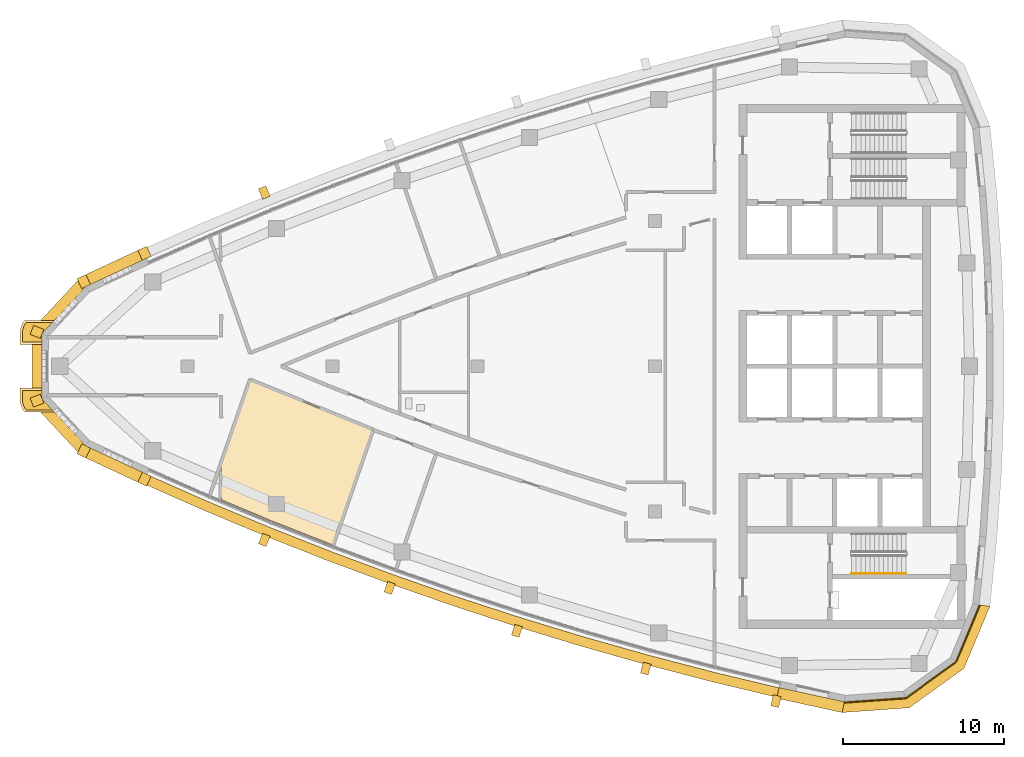
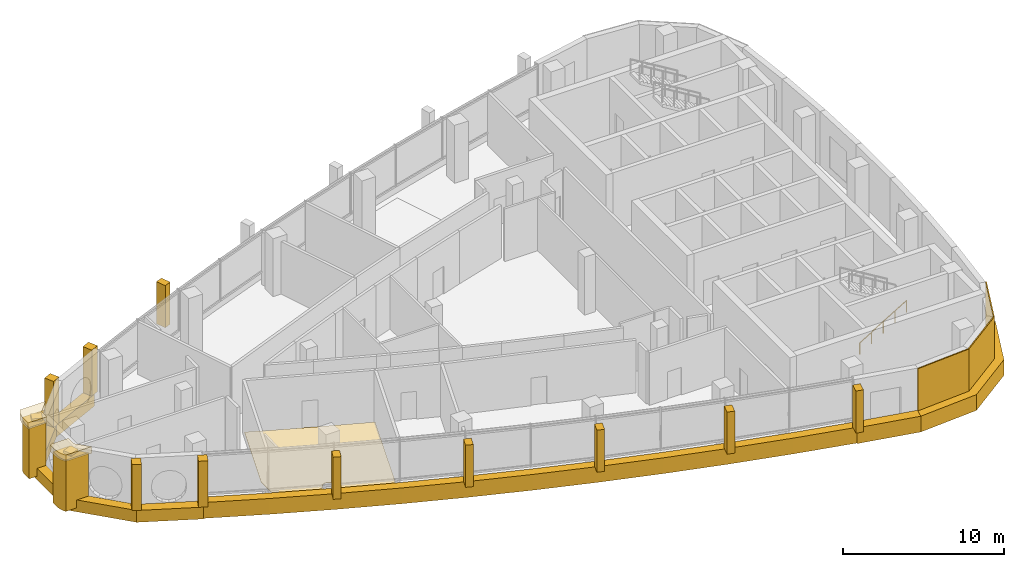
# One storey, part 11 of 15: 24 coverings, 1 railing.
"""IFC4 building model written with IfcOpenShell, lengths in metres."""

from ifc_helpers import new_model, si_unit, direction, frame, frame_2d, origin, origin_2d, place, context, subcontext, project, spatial, polyline, rectangle, circle, outline, extrude, material, layer, layer_set, type_object, element, save


model = new_model("IFC4")

# Units and contexts
model_context = context("Model", 3, precision=1e-05, world=origin(), true_north=direction((0.0, 1.0)))
body_context = subcontext(model_context, "Body", "Model", "MODEL_VIEW")
ifc_project = project(units=[si_unit("LENGTHUNIT", "METRE"), si_unit("AREAUNIT", "SQUARE_METRE"), si_unit("VOLUMEUNIT", "CUBIC_METRE"), si_unit("PLANEANGLEUNIT", "RADIAN"), si_unit("MASSUNIT", "GRAM", prefix="KILO")], contexts=[model_context])

# Site, building, storey
site_placement = place(None, origin())
site = spatial("IfcSite", under=ifc_project, at=site_placement, CompositionType="ELEMENT")
building_placement = place(site_placement, origin())
building = spatial("IfcBuilding", under=site, at=building_placement, Name="Ostrand Prow Hotel Tower", CompositionType="ELEMENT")
storey_placement = place(building_placement, frame((0.0, 0.0, 318.60009765625)))
storey = spatial("IfcBuildingStorey", under=building, at=storey_placement, Name="C3", CompositionType="ELEMENT", Elevation=318.60009765625)

# Coverings
ifc_material_1 = material(Name="Bronze anodised aluminium cladding", Category="aluminium")
ifc_layer_1 = layer(ifc_material_1, 0.60009765625)
ifc_layer_set_1 = layer_set([ifc_layer_1], Name="Bronze anodised aluminium cladding")
covering_type_1 = type_object("IfcCoveringType", Name="Bronze prow band 899x600", PredefinedType="CLADDING", material=ifc_layer_set_1)
covering_1_placement = place(storey_placement, frame((0.0, 0.0, -0.300048828125)))
element("IfcCovering", 1, at=covering_1_placement, inside=storey, type_object=covering_type_1, Name="Bronze prow band", PredefinedType="CLADDING", context=body_context, shape_type="SweptSolid", body=[
    extrude(outline(polyline([(13.195068359375, 7.316162109375), (9.424560546875, 5.559814453125), (6.348388671875, 2.2568359375), (6.348388671875, -2.2568359375), (9.424560546875, -5.559814453125), (13.195068359375, -7.316162109375), (13.47607421875, -6.697021484375), (9.718017578125, -4.9462890625), (6.981201171875, -2.0078125), (6.981201171875, 2.0078125), (9.718017578125, 4.9462890625), (13.47607421875, 6.697021484375), (13.195068359375, 7.316162109375)])), origin(), (0.0, 0.0, 1.0), 0.89990234375),
])
ifc_material_2 = material(Name="Bronze anodised aluminium cladding", Category="aluminium")
ifc_layer_2 = layer(ifc_material_2, 0.60009765625)
ifc_layer_set_2 = layer_set([ifc_layer_2], Name="Bronze anodised aluminium cladding")
covering_type_2 = type_object("IfcCoveringType", Name="Bronze spandrel band 1200x600", PredefinedType="CLADDING", material=ifc_layer_set_2)
covering_2_placement = place(storey_placement, frame((0.0, 0.0, -0.300048828125)))
element("IfcCovering", 2, at=covering_2_placement, inside=storey, type_object=covering_type_2, Name="Spandrel band S1", PredefinedType="CLADDING", context=body_context, shape_type="SweptSolid", body=[
    extrude(outline(polyline([(13.220947265625, -7.25927734375), (17.02490234375, -8.938720703125), (20.86181640625, -10.541748046875), (24.72998046875, -12.067138671875), (28.62841796875, -13.514404296875), (32.5546875, -14.88330078125), (36.508056640625, -16.172607421875), (40.486328125, -17.382568359375), (44.48828125, -18.51220703125), (48.51220703125, -19.56103515625), (52.55615234375, -20.52880859375), (52.68994140625, -19.94384765625), (48.65771484375, -18.97900390625), (44.6455078125, -17.93310546875), (40.6552734375, -16.806884765625), (36.6884765625, -15.6005859375), (32.74658203125, -14.314697265625), (28.83154296875, -12.949951171875), (24.944580078125, -11.5068359375), (21.08740234375, -9.98583984375), (17.26171875, -8.3876953125), (13.468994140625, -6.712890625), (13.220947265625, -7.25927734375)])), origin(), (0.0, 0.0, 1.0), 1.199951171875),
])
covering_3_placement = place(storey_placement, frame((0.0, 0.0, -0.300048828125)))
element("IfcCovering", 3, at=covering_3_placement, inside=storey, type_object=covering_type_2, Name="Spandrel band back 1", PredefinedType="CLADDING", context=body_context, shape_type="SweptSolid", body=[
    extrude(outline(polyline([(52.542236328125, -20.58984375), (56.606201171875, -21.476318359375), (56.744384765625, -20.810546875), (52.69384765625, -19.927001953125), (52.542236328125, -20.58984375)])), origin(), (0.0, 0.0, 1.0), 1.199951171875),
])
covering_4_placement = place(storey_placement, frame((0.0, 0.0, -0.300048828125)))
element("IfcCovering", 4, at=covering_4_placement, inside=storey, type_object=covering_type_2, Name="Spandrel band back 2", PredefinedType="CLADDING", context=body_context, shape_type="SweptSolid", body=[
    extrude(outline(polyline([(56.606201171875, -21.476318359375), (60.771728515625, -21.17919921875), (64.162841796875, -18.741455078125), (65.77197265625, -14.887451171875), (65.17626953125, -14.81591796875), (63.693115234375, -18.3681640625), (60.567626953125, -20.614990234375), (56.72802734375, -20.888916015625), (56.606201171875, -21.476318359375)])), origin(), (0.0, 0.0, 1.0), 1.199951171875),
])
ifc_material_3 = material(Name="Limestone cladding", Category="masonry")
ifc_layer_3 = layer(ifc_material_3, 0.5)
ifc_layer_set_3 = layer_set([ifc_layer_3], Name="Limestone cladding")
covering_type_3 = type_object("IfcCoveringType", Name="Precast stone fin 500x600", PredefinedType="CLADDING", material=ifc_layer_set_3)
for number, where, z_axis, x_axis, name in (
    (5, (20.8994140625, -10.44921875, 0.89990234375), (0.0, 0.0, 1.0), (-0.376377046956, -0.926466577122, 0.0), "Stone fin S 3"),
    (6, (28.662109375, -13.42041015625, 0.89990234375), (0.0, 0.0, 1.0), (-0.338633021138, -0.940918528352, 0.0), "Stone fin S 5"),
):
    element("IfcCovering", number, at=place(storey_placement, frame(where, z_axis=z_axis, x_axis=x_axis)), inside=storey, type_object=covering_type_3, Name=name, PredefinedType="CLADDING", context=body_context, shape_type="SweptSolid", body=[
        extrude(rectangle(XDim=0.699951171875, YDim=0.5, at=frame_2d((0.35009765625, 0.0))), origin(), (0.0, 0.0, 1.0), 3.199951171875),
    ])
for number, where, z_axis, x_axis, name in (
    (7, (36.5380859375, -16.077392578125, 0.89990234375), (0.0, 0.0, 1.0), (-0.30059725976, -0.953751166408, 0.0), "Stone fin S 7"),
    (8, (44.514404296875, -18.41552734375, 0.89990234375), (0.0, 0.0, 1.0), (-0.261848568536, -0.965108971648, 0.0), "Stone fin S 9"),
):
    element("IfcCovering", number, at=place(storey_placement, frame(where, z_axis=z_axis, x_axis=x_axis)), inside=storey, type_object=covering_type_3, Name=name, PredefinedType="CLADDING", context=body_context, shape_type="SweptSolid", body=[
        extrude(rectangle(XDim=0.7001953125, YDim=0.5, at=frame_2d((0.35009765625, 0.0))), origin(), (0.0, 0.0, 1.0), 3.199951171875),
    ])
for number, where, z_axis, x_axis, name in (
    (9, (52.578369140625, -20.431396484375, 0.89990234375), (0.0, 0.0, 1.0), (-0.222872153431, -0.974847682064, 0.0), "Stone fin S 11"),
    (10, (20.8994140625, 10.44921875, 0.89990234375), (0.0, 0.0, 1.0), (-0.376377046956, 0.926466577122, 0.0), "Stone fin N 9"),
):
    element("IfcCovering", number, at=place(storey_placement, frame(where, z_axis=z_axis, x_axis=x_axis)), inside=storey, type_object=covering_type_3, Name=name, PredefinedType="CLADDING", context=body_context, shape_type="SweptSolid", body=[
        extrude(rectangle(XDim=0.699951171875, YDim=0.5, at=frame_2d((0.35009765625, 0.0))), origin(), (0.0, 0.0, 1.0), 3.199951171875),
    ])
ifc_material_4 = material(Name="Limestone cladding", Category="masonry")
ifc_layer_4 = layer(ifc_material_4, 0.60009765625)
ifc_layer_set_4 = layer_set([ifc_layer_4], Name="Limestone cladding")
covering_type_4 = type_object("IfcCoveringType", Name="Precast stone prow rib 600x600", PredefinedType="CLADDING", material=ifc_layer_set_4)
covering_5_placement = place(storey_placement, frame((13.47607421875, 6.697021484375, 0.599853515625), z_axis=(0.0, 0.0, 1.0), x_axis=(-0.413288868051, 0.910599973394, 0.0)))
element("IfcCovering", 11, at=covering_5_placement, inside=storey, type_object=covering_type_4, Name="Stone prow rib 1", PredefinedType="CLADDING", context=body_context, shape_type="SweptSolid", body=[
    extrude(rectangle(XDim=0.679931640625, YDim=0.60009765625, at=frame_2d((0.33984375, 0.0))), origin(), (0.0, 0.0, 1.0), 3.5),
])
covering_6_placement = place(storey_placement, frame((9.718017578125, 4.9462890625, 0.599853515625), z_axis=(0.0, 0.0, 1.0), x_axis=(-0.431493603995, 0.902115995707, 0.0)))
element("IfcCovering", 12, at=covering_6_placement, inside=storey, type_object=covering_type_4, Name="Stone prow rib 2", PredefinedType="CLADDING", context=body_context, shape_type="SweptSolid", body=[
    extrude(rectangle(XDim=0.68017578125, YDim=0.60009765625, at=frame_2d((0.340087890625, 0.0))), origin(), (0.0, 0.0, 1.0), 3.5),
])
for number, where, z_axis, x_axis, name in (
    (13, (6.981201171875, 2.0078125, 0.599853515625), (0.0, 0.0, 1.0), (-0.93054188789, 0.366185465142, 0.0), "Stone prow rib 3"),
    (14, (6.981201171875, -2.0078125, 0.599853515625), (0.0, 0.0, 1.0), (-0.93054188789, -0.366185465142, 0.0), "Stone prow rib 4"),
):
    element("IfcCovering", number, at=place(storey_placement, frame(where, z_axis=z_axis, x_axis=x_axis)), inside=storey, type_object=covering_type_4, Name=name, PredefinedType="CLADDING", context=body_context, shape_type="SweptSolid", body=[
        extrude(rectangle(XDim=0.679931640625, YDim=0.60009765625, at=frame_2d((0.33984375, 0.0))), origin(), (0.0, 0.0, 1.0), 3.5),
    ])
covering_7_placement = place(storey_placement, frame((9.718017578125, -4.9462890625, 0.599853515625), z_axis=(0.0, 0.0, 1.0), x_axis=(-0.431493603995, -0.902115995707, 0.0)))
element("IfcCovering", 15, at=covering_7_placement, inside=storey, type_object=covering_type_4, Name="Stone prow rib 5", PredefinedType="CLADDING", context=body_context, shape_type="SweptSolid", body=[
    extrude(rectangle(XDim=0.68017578125, YDim=0.60009765625, at=frame_2d((0.340087890625, 0.0))), origin(), (0.0, 0.0, 1.0), 3.5),
])
covering_8_placement = place(storey_placement, frame((13.47607421875, -6.697021484375, 0.599853515625), z_axis=(0.0, 0.0, 1.0), x_axis=(-0.413288868051, -0.910599973394, 0.0)))
element("IfcCovering", 16, at=covering_8_placement, inside=storey, type_object=covering_type_4, Name="Stone prow rib 6", PredefinedType="CLADDING", context=body_context, shape_type="SweptSolid", body=[
    extrude(rectangle(XDim=0.679931640625, YDim=0.60009765625, at=frame_2d((0.33984375, 0.0))), origin(), (0.0, 0.0, 1.0), 3.5),
])
ifc_material_5 = material(Name="Limestone cladding", Category="masonry")
ifc_layer_5 = layer(ifc_material_5, 3.0)
ifc_layer_set_5 = layer_set([ifc_layer_5], Name="Limestone cladding")
covering_type_5 = type_object("IfcCoveringType", Name="Prow nose pier limestone", PredefinedType="CLADDING", material=ifc_layer_set_5)
covering_9_placement = place(storey_placement, frame((0.0, 0.0, 3.89990234375)))
element("IfcCovering", 17, at=covering_9_placement, inside=storey, type_object=covering_type_5, Name="Prow spine cap N C3", PredefinedType="CLADDING", context=body_context, shape_type="SweptSolid", body=[
    extrude(outline(polyline([(5.614990234375, 2.01416015625), (5.614990234375, 1.35009765625), (6.96484375, 1.35009765625), (6.96484375, 2.01416015625), (7.743408203125, 2.85009765625), (5.905517578125, 2.85009765625), (5.895263671875, 2.837890625), (5.82275390625, 2.734130859375), (5.760498046875, 2.6240234375), (5.70849609375, 2.508544921875), (5.66796875, 2.388916015625), (5.638427734375, 2.265869140625), (5.620849609375, 2.140625), (5.614990234375, 2.01416015625)])), origin(), (0.0, 0.0, 1.0), 0.5),
])
covering_10_placement = place(storey_placement, origin())
element("IfcCovering", 18, at=covering_10_placement, inside=storey, type_object=covering_type_5, Name="Prow spine fin N C3", PredefinedType="CLADDING", context=body_context, shape_type="SweptSolid", body=[
    extrude(outline(polyline([(5.764892578125, 2.01416015625), (5.764892578125, 1.5), (6.96484375, 1.5), (6.96484375, 2.01416015625), (7.603515625, 2.699951171875), (5.981689453125, 2.699951171875), (5.94970703125, 2.654052734375), (5.894287109375, 2.55615234375), (5.84814453125, 2.45361328125), (5.81201171875, 2.34716796875), (5.785888671875, 2.23779296875), (5.77001953125, 2.12646484375), (5.764892578125, 2.01416015625)])), origin(), (0.0, 0.0, 1.0), 3.89990234375),
])
covering_11_placement = place(storey_placement, frame((0.0, 0.0, 3.89990234375)))
element("IfcCovering", 19, at=covering_11_placement, inside=storey, type_object=covering_type_5, Name="Prow spine cap S C3", PredefinedType="CLADDING", context=body_context, shape_type="SweptSolid", body=[
    extrude(outline(polyline([(5.895263671875, -2.837890625), (5.905517578125, -2.85009765625), (7.743408203125, -2.85009765625), (6.96484375, -2.01416015625), (6.96484375, -1.35009765625), (5.614990234375, -1.35009765625), (5.614990234375, -2.01416015625), (5.620849609375, -2.140625), (5.638427734375, -2.265869140625), (5.66796875, -2.388916015625), (5.70849609375, -2.508544921875), (5.760498046875, -2.6240234375), (5.82275390625, -2.734130859375), (5.895263671875, -2.837890625)])), origin(), (0.0, 0.0, 1.0), 0.5),
])
covering_12_placement = place(storey_placement, origin())
element("IfcCovering", 20, at=covering_12_placement, inside=storey, type_object=covering_type_5, Name="Prow spine fin S C3", PredefinedType="CLADDING", context=body_context, shape_type="SweptSolid", body=[
    extrude(outline(polyline([(5.94970703125, -2.654052734375), (5.981689453125, -2.699951171875), (7.603515625, -2.699951171875), (6.96484375, -2.01416015625), (6.96484375, -1.5), (5.764892578125, -1.5), (5.764892578125, -2.01416015625), (5.77001953125, -2.12646484375), (5.785888671875, -2.23779296875), (5.81201171875, -2.34716796875), (5.84814453125, -2.45361328125), (5.894287109375, -2.55615234375), (5.94970703125, -2.654052734375)])), origin(), (0.0, 0.0, 1.0), 3.89990234375),
])

# Railing
ifc_material_6 = material(Name="Stainless steel", Category="steel")
railing_type = type_object("IfcRailingType", Name="Stair handrail 900", PredefinedType="HANDRAIL", material=ifc_material_6)
railing_placement = place(storey_placement, frame((57.199951171875, -12.85009765625, 0.169189453125)))
element("IfcRailing", 21, at=railing_placement, inside=storey, type_object=railing_type, Name="C3 ST2C stair handrail 1", PredefinedType="HANDRAIL", context=body_context, shape_type="SweptSolid", body=[
    extrude(circle(Radius=0.02392578125, at=origin_2d()), frame((0.0, 0.0, 0.8759765625), z_axis=(0.855836976705, 0.0, 0.517245656632), x_axis=(0.0, 1.0, 0.0)), (0.0, 0.0, 1.0), 3.926025390625),
    extrude(circle(Radius=0.02099609375, at=origin_2d()), origin(), (0.0, 0.0, 1.0), 0.851806640625),
    extrude(circle(Radius=0.02099609375, at=origin_2d()), frame((0.840087890625, 0.0, 0.5078125)), (0.0, 0.0, 1.0), 0.851806640625),
    extrude(circle(Radius=0.02099609375, at=origin_2d()), frame((1.68017578125, 0.0, 1.015380859375)), (0.0, 0.0, 1.0), 0.851806640625),
    extrude(circle(Radius=0.02099609375, at=origin_2d()), frame((2.52001953125, 0.0, 1.52294921875)), (0.0, 0.0, 1.0), 0.851806640625),
    extrude(circle(Radius=0.02099609375, at=origin_2d()), frame((3.360107421875, 0.0, 2.03076171875)), (0.0, 0.0, 1.0), 0.851806640625),
])

# Coverings
ifc_material_7 = material(Name="Polished limestone", Category="masonry")
ifc_layer_6 = layer(ifc_material_7, 0.030029296875)
ifc_layer_set_6 = layer_set([ifc_layer_6], Name="Polished limestone")
covering_type_6 = type_object("IfcCoveringType", Name="Stone floor finish 30 mm", PredefinedType="FLOORING", material=ifc_layer_set_6)
covering_13_placement = place(storey_placement, origin())
element("IfcCovering", 22, at=covering_13_placement, inside=storey, type_object=covering_type_6, Name="Floor finish Bar", PredefinedType="FLOORING", context=body_context, shape_type="SweptSolid", body=[
    extrude(outline(polyline([(21.245361328125, -9.5966796875), (25.025390625, -11.087158203125), (27.503662109375, -3.943359375), (24.087646484375, -2.59619140625), (19.8935546875, -0.831787109375), (18.0966796875, -6.01220703125), (18.096435546875, -8.280517578125), (21.245361328125, -9.5966796875)]), holes=[polyline([(21.866943359375, -8.728515625), (21.8466796875, -8.76220703125), (21.8232421875, -8.793701171875), (21.796875, -8.82275390625), (21.767822265625, -8.84912109375), (21.736328125, -8.87255859375), (21.70263671875, -8.892822265625), (21.667236328125, -8.90966796875), (21.630126953125, -8.9228515625), (21.592041015625, -8.932373046875), (21.55322265625, -8.93798828125), (21.51416015625, -8.93994140625), (21.474853515625, -8.93798828125), (21.43603515625, -8.932373046875), (21.39794921875, -8.9228515625), (21.361083984375, -8.90966796875), (21.325439453125, -8.892822265625), (21.2919921875, -8.87255859375), (21.26025390625, -8.84912109375), (21.231201171875, -8.82275390625), (21.204833984375, -8.793701171875), (21.181396484375, -8.76220703125), (21.161376953125, -8.728515625), (21.14453125, -8.693115234375), (21.13134765625, -8.656005859375), (21.121826171875, -8.617919921875), (21.115966796875, -8.5791015625), (21.114013671875, -8.5400390625), (21.115966796875, -8.500732421875), (21.121826171875, -8.4619140625), (21.13134765625, -8.423828125), (21.14453125, -8.386962890625), (21.161376953125, -8.351318359375), (21.181396484375, -8.31787109375), (21.204833984375, -8.2861328125), (21.231201171875, -8.257080078125), (21.26025390625, -8.230712890625), (21.2919921875, -8.20751953125), (21.325439453125, -8.187255859375), (21.361083984375, -8.17041015625), (21.39794921875, -8.1572265625), (21.43603515625, -8.147705078125), (21.474853515625, -8.141845703125), (21.51416015625, -8.139892578125), (21.55322265625, -8.141845703125), (21.592041015625, -8.147705078125), (21.630126953125, -8.1572265625), (21.667236328125, -8.17041015625), (21.70263671875, -8.187255859375), (21.736328125, -8.20751953125), (21.767822265625, -8.230712890625), (21.796875, -8.257080078125), (21.8232421875, -8.2861328125), (21.8466796875, -8.31787109375), (21.866943359375, -8.351318359375), (21.8837890625, -8.386962890625), (21.89697265625, -8.423828125), (21.906494140625, -8.4619140625), (21.912109375, -8.500732421875), (21.9140625, -8.5400390625), (21.912109375, -8.5791015625), (21.906494140625, -8.617919921875), (21.89697265625, -8.656005859375), (21.8837890625, -8.693115234375), (21.866943359375, -8.728515625)])]), origin(), (0.0, 0.0, 1.0), 0.02978515625),
])
ifc_material_8 = material(Name="Limestone cladding", Category="masonry")
ifc_layer_7 = layer(ifc_material_8, 0.080078125)
ifc_layer_set_7 = layer_set([ifc_layer_7], Name="Limestone cladding")
covering_type_7 = type_object("IfcCoveringType", Name="Warm limestone cladding 80 mm", PredefinedType="CLADDING", material=ifc_layer_set_7)
covering_14_placement = place(storey_placement, frame((56.736083984375, -20.849853515625, 0.0), z_axis=(0.0, 0.0, 1.0), x_axis=(0.997463230726, 0.071183589045, 0.0)))
element("IfcCovering", 23, at=covering_14_placement, inside=storey, type_object=covering_type_7, Name="Limestone cladding back 2", PredefinedType="CLADDING", context=body_context, shape_type="SweptSolid", body=[
    extrude(outline(polyline([(-0.005859375, -0.0400390625), (3.8388671875, -0.0400390625), (3.81640625, 0.0400390625), (0.005859375, 0.0400390625), (-0.005859375, -0.0400390625)])), origin(), (0.0, 0.0, 1.0), 4.099853515625),
])
covering_15_placement = place(storey_placement, frame((60.553955078125, -20.577392578125, 0.0), z_axis=(0.0, 0.0, 1.0), x_axis=(0.811975694159, 0.583691247231, 0.0)))
element("IfcCovering", 24, at=covering_15_placement, inside=storey, type_object=covering_type_7, Name="Limestone cladding back 3", PredefinedType="CLADDING", context=body_context, shape_type="SweptSolid", body=[
    extrude(outline(polyline([(-0.01123046875, -0.0400390625), (3.8388671875, -0.0400390625), (3.81640625, 0.0400390625), (0.01123046875, 0.0400390625), (-0.01123046875, -0.0400390625)])), origin(), (0.0, 0.0, 1.0), 4.099853515625),
])
covering_16_placement = place(storey_placement, frame((63.661865234375, -18.34326171875, 0.0), z_axis=(0.0, 0.0, 1.0), x_axis=(0.385272026688, 0.922803048029, 0.0)))
element("IfcCovering", 25, at=covering_16_placement, inside=storey, type_object=covering_type_7, Name="Limestone cladding back 4", PredefinedType="CLADDING", context=body_context, shape_type="SweptSolid", body=[
    extrude(outline(polyline([(-0.01123046875, -0.0400390625), (3.833251953125, -0.0400390625), (3.821533203125, 0.0400390625), (0.01123046875, 0.0400390625), (-0.01123046875, -0.0400390625)])), origin(), (0.0, 0.0, 1.0), 4.099853515625),
])

save(model, "model.ifc")
